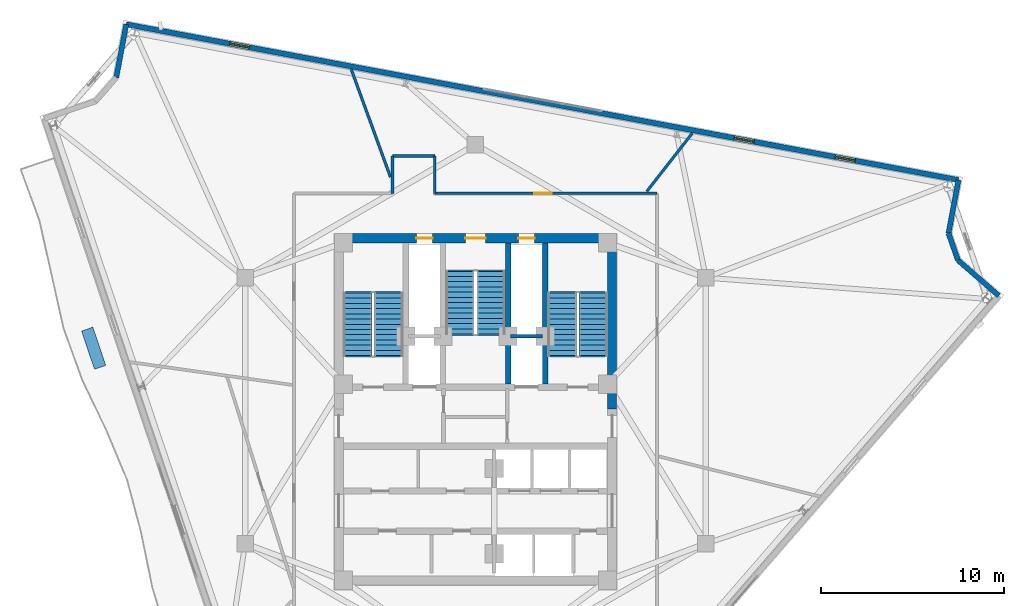
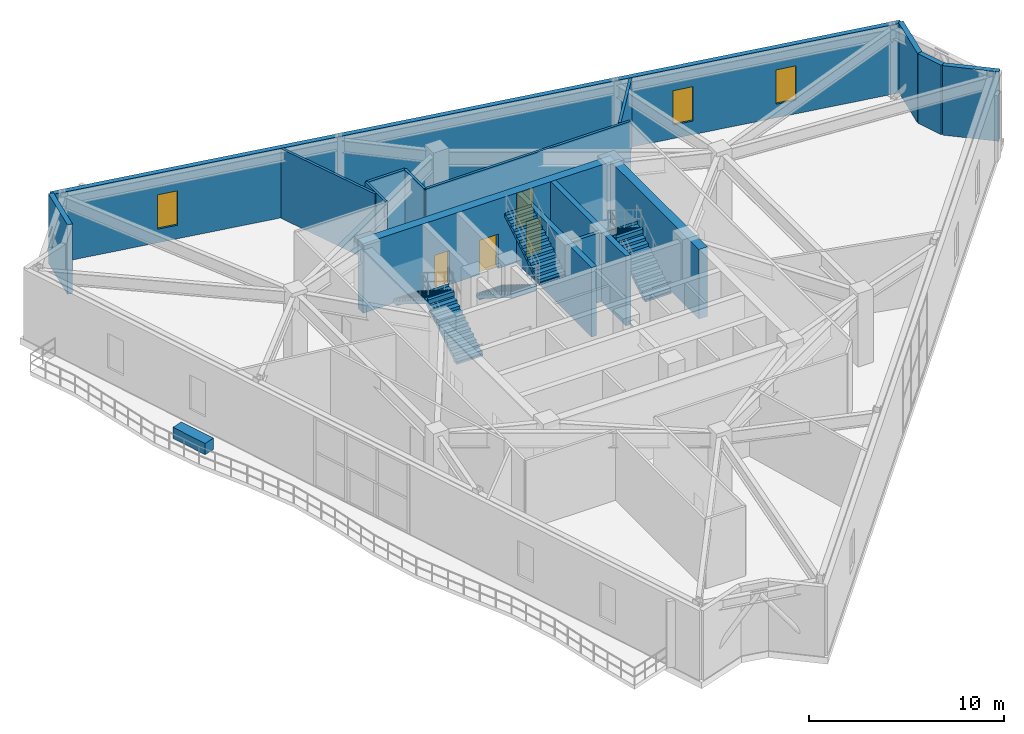
# One storey, part 12 of 15: 16 walls, 6 stair flights, 4 doors, 3 windows, 1 discrete accessory, 7 openings, 3 elements without a shape of their own.
"""IFC4 building model written with IfcOpenShell, lengths in metres."""

import ifcopenshell
import ifcopenshell.guid

model = None  # the IFC model being written
_history = None  # IfcOwnerHistory: only IFC2X3 demands one
_inside = {}  # id of a spatial element -> (the spatial element, [elements in it])
_under = {}  # id of a project, library or spatial element -> (it, [spatial elements below it])
_declared = {}  # id of a project -> (the project, [libraries it declares])
_typed = {}  # id of a type object -> (the type object, [elements of that type])
_made_of = {}  # id of a material, layer set ... -> (it, [elements and type objects made of it])


def new_model(schema):
    """Start an empty IFC model of exactly this schema.

    Asked for "IFC4X3", IfcOpenShell would pick the latest addendum, in which some entities
    have other attributes; the version numbers below select the first issue.
    IFC2X3 requires an IfcOwnerHistory on every rooted entity: one is made here for all.
    """
    global model, _history
    if schema == "IFC4X3":
        model = ifcopenshell.file(schema_version=(4, 3, 0, 0))
    else:
        model = ifcopenshell.file(schema=schema)
    _inside.clear()
    _under.clear()
    _declared.clear()
    _typed.clear()
    _made_of.clear()
    _history = None
    if model.schema == "IFC2X3":
        org = make("IfcOrganization", Name="unknown")
        user = make(
            "IfcPersonAndOrganization",
            ThePerson=make("IfcPerson", FamilyName="unknown"),
            TheOrganization=org,
        )
        app = make(
            "IfcApplication",
            ApplicationDeveloper=org,
            Version="unknown",
            ApplicationFullName="unknown",
            ApplicationIdentifier="unknown",
        )
        _history = make(
            "IfcOwnerHistory",
            OwningUser=user,
            OwningApplication=app,
            ChangeAction="ADDED",
            CreationDate=0,
        )
    return model


def make(cls, **values):
    """One entity of the class cls with the attributes given. An attribute that is None is left unset."""
    return model.create_entity(
        cls, **{name: value for name, value in values.items() if value is not None}
    )


def rooted(cls, **values):
    """An entity with a GlobalId (a new one), such as an element, a storey or a relation."""
    return make(cls, GlobalId=ifcopenshell.guid.new(), OwnerHistory=_history, **values)


def si_unit(unit_type, name, prefix=None):
    """IfcSIUnit, for example si_unit("LENGTHUNIT", "METRE", prefix="MILLI")."""
    return make("IfcSIUnit", UnitType=unit_type, Prefix=prefix, Name=name)


def assignment(units):
    """IfcUnitAssignment: the units of a project."""
    return None if units is None else make("IfcUnitAssignment", Units=units)


def point(xyz):
    """IfcCartesianPoint."""
    return None if xyz is None else make("IfcCartesianPoint", Coordinates=xyz)


def direction(xyz):
    """IfcDirection."""
    return None if xyz is None else make("IfcDirection", DirectionRatios=xyz)


def frame(location, z_axis=None, x_axis=None):
    """IfcAxis2Placement3D, a coordinate frame: its origin and axes. An axis left out is left unset."""
    return make(
        "IfcAxis2Placement3D",
        Location=point(location),
        Axis=direction(z_axis),
        RefDirection=direction(x_axis),
    )


def frame_2d(location, x_axis=None):
    """IfcAxis2Placement2D, a coordinate frame in the plane: its origin and x axis."""
    return make(
        "IfcAxis2Placement2D", Location=point(location), RefDirection=direction(x_axis)
    )


def origin():
    """The frame at (0, 0, 0) with its axes left unset."""
    return frame((0.0, 0.0, 0.0))


def origin_2d():
    """The frame at (0, 0) in the plane with its x axis left unset."""
    return frame_2d((0.0, 0.0))


def place(relative_to, where):
    """IfcLocalPlacement: puts the frame where relative to a parent placement (None: the world)."""
    return make(
        "IfcLocalPlacement", PlacementRelTo=relative_to, RelativePlacement=where
    )


def context(
    kind, dimensions, precision=None, world=None, true_north=None, identifier=None
):
    """IfcGeometricRepresentationContext, for example the 3D "Model" context."""
    return make(
        "IfcGeometricRepresentationContext",
        ContextIdentifier=identifier,
        ContextType=kind,
        CoordinateSpaceDimension=dimensions,
        Precision=precision,
        WorldCoordinateSystem=world,
        TrueNorth=true_north,
    )


def subcontext(parent, identifier, kind, view, scale=None):
    """IfcGeometricRepresentationSubContext, for example "Body" below "Model"."""
    return make(
        "IfcGeometricRepresentationSubContext",
        ContextIdentifier=identifier,
        ContextType=kind,
        ParentContext=parent,
        TargetScale=scale,
        TargetView=view,
    )


def project(units=None, contexts=None):
    """IfcProject with its units and contexts."""
    return rooted(
        "IfcProject",
        Name="project",
        RepresentationContexts=contexts,
        UnitsInContext=assignment(units),
    )


def spatial(cls, under=None, at=None, **own):
    """A site, building, storey or space (cls), placed at a placement, below another one or the project."""
    s = rooted(cls, ObjectPlacement=at, **own)
    if under is not None:
        _under.setdefault(under.id(), (under, []))[1].append(s)
    return s


def polyline(points):
    """IfcPolyline through the points."""
    return make("IfcPolyline", Points=[point(p) for p in points])


def profile(cls, at=None, kind="AREA", **sizes):
    """A parametric profile (cls). Its sizes go by their IFC names, for example OverallWidth=200.0."""
    return make(cls, ProfileType=kind, Position=at, **sizes)


def rectangle(**sizes):
    """IfcRectangleProfileDef."""
    return profile("IfcRectangleProfileDef", **sizes)


def outline(outer, holes=None, kind="AREA"):
    """IfcArbitraryClosedProfileDef: a profile drawn as a closed curve; with holes, ...WithVoids."""
    if holes is None:
        return make("IfcArbitraryClosedProfileDef", ProfileType=kind, OuterCurve=outer)
    return make(
        "IfcArbitraryProfileDefWithVoids",
        ProfileType=kind,
        OuterCurve=outer,
        InnerCurves=holes,
    )


def extrude(swept, where, along, depth):
    """IfcExtrudedAreaSolid: the profile swept, set in the frame where, extruded along a direction by depth."""
    return make(
        "IfcExtrudedAreaSolid",
        SweptArea=swept,
        Position=where,
        ExtrudedDirection=direction(along),
        Depth=depth,
    )


def shape(context_of_items, identifier, shape_type, items):
    """IfcShapeRepresentation: the items that make up one representation, for example the "Body"."""
    return make(
        "IfcShapeRepresentation",
        ContextOfItems=context_of_items,
        RepresentationIdentifier=identifier,
        RepresentationType=shape_type,
        Items=items,
    )


def material(Name=None, Category=None):
    """IfcMaterial."""
    return make("IfcMaterial", Name=Name, Category=Category)


def layer(
    of_material, thickness, ventilated=None, Name=None, Category=None, Priority=None
):
    """IfcMaterialLayer: one layer of a wall or slab, of a material (None: an air gap)."""
    return make(
        "IfcMaterialLayer",
        Material=of_material,
        LayerThickness=thickness,
        IsVentilated=ventilated,
        Name=Name,
        Category=Category,
        Priority=Priority,
    )


def layer_set(layers, Name=None):
    """IfcMaterialLayerSet."""
    return make("IfcMaterialLayerSet", MaterialLayers=layers, LayerSetName=Name)


def made_of(thing, what):
    """Note that an element or type object is made of a material, layer set ...; save() writes the relation."""
    if what is not None:
        _made_of.setdefault(what.id(), (what, []))[1].append(thing)
    return thing


def type_object(cls, material=None, **own):
    """A type object (cls), such as IfcWallType, which elements share."""
    return made_of(rooted(cls, **own), material)


def element(
    cls,
    number,
    at=None,
    inside=None,
    cuts=None,
    type_object=None,
    material=None,
    context=None,
    identifier="Body",
    shape_type=None,
    held_by="IfcProductDefinitionShape",
    body=None,
    shapes=None,
    **own,
):
    """One element of the class cls, such as IfcWall. Its Tag is "e" and its number.

    at: its placement. inside: the storey or other place that contains it. cuts: it is an
    opening in that element (IfcRelVoidsElement). A single representation is given by context,
    identifier, shape_type and body (its items); several are given by shapes. held_by: the class
    of the entity that holds the representations. save() writes the other relations.
    """
    e = rooted(cls, Tag="e%d" % number, ObjectPlacement=at, **own)
    if body is not None:
        shapes = [shape(context, identifier, shape_type, body)]
    if shapes is not None:
        e.Representation = make(held_by, Representations=shapes)
    if inside is not None:
        _inside.setdefault(inside.id(), (inside, []))[1].append(e)
    if cuts is not None:
        rooted(
            "IfcRelVoidsElement", RelatingBuildingElement=cuts, RelatedOpeningElement=e
        )
    if type_object is not None:
        _typed.setdefault(type_object.id(), (type_object, []))[1].append(e)
    return made_of(e, material)


def fill(opening, filler):
    """IfcRelFillsElement: the door or window that sits in an opening."""
    return rooted(
        "IfcRelFillsElement",
        RelatingOpeningElement=opening,
        RelatedBuildingElement=filler,
    )


def aggregate(whole, parts):
    """IfcRelAggregates: a whole, such as a stair, and the parts it consists of."""
    return rooted("IfcRelAggregates", RelatingObject=whole, RelatedObjects=parts)


def save(model, path):
    """Write the relations noted so far, then the file.

    IfcRelAggregates (storeys below a building ...), IfcRelContainedInSpatialStructure (elements
    in a storey), IfcRelDefinesByType, IfcRelAssociatesMaterial and IfcRelDeclares: one each for
    every whole, place, type object, material and project.
    """
    for whole, parts in _under.values():
        aggregate(whole, parts)
    for where, things in _inside.values():
        rooted(
            "IfcRelContainedInSpatialStructure",
            RelatedElements=things,
            RelatingStructure=where,
        )
    for kind, things in _typed.values():
        rooted("IfcRelDefinesByType", RelatedObjects=things, RelatingType=kind)
    for what, things in _made_of.values():
        rooted("IfcRelAssociatesMaterial", RelatedObjects=things, RelatingMaterial=what)
    for by, libraries in _declared.values():
        rooted("IfcRelDeclares", RelatingContext=by, RelatedDefinitions=libraries)
    model.write(path)


model = new_model("IFC4")

# Units and contexts
model_context = context("Model", 3, precision=1e-05, world=origin(), true_north=direction((0.0, 1.0)))
body_context = subcontext(model_context, "Body", "Model", "MODEL_VIEW")
ifc_project = project(units=[si_unit("LENGTHUNIT", "METRE"), si_unit("AREAUNIT", "SQUARE_METRE"), si_unit("VOLUMEUNIT", "CUBIC_METRE"), si_unit("PLANEANGLEUNIT", "RADIAN"), si_unit("MASSUNIT", "GRAM", prefix="KILO")], contexts=[model_context])

# Site, building, storey
site_placement = place(None, origin())
site = spatial("IfcSite", under=ifc_project, at=site_placement, CompositionType="ELEMENT")
building_placement = place(site_placement, origin())
building = spatial("IfcBuilding", under=site, at=building_placement, Name="Apsidion Concourse Tower", CompositionType="ELEMENT")
storey_placement = place(building_placement, frame((0.0, 0.0, 260.89990234375)))
storey = spatial("IfcBuildingStorey", under=building, at=storey_placement, Name="L61", CompositionType="ELEMENT", Elevation=260.89990234375)

# Wall, openings, windows
ifc_material_1 = material(Name="Precast concrete C40/50", Category="concrete")
ifc_layer_1 = layer(ifc_material_1, 0.280029296875)
ifc_layer_set_1 = layer_set([ifc_layer_1], Name="Precast concrete C40/50")
wall_type_1 = type_object("IfcWallType", Name="WL-EXT-280", PredefinedType="STANDARD", material=ifc_layer_set_1)
wall_1_placement = place(storey_placement, frame((-19.04150390625, 21.06640625, 0.0), z_axis=(0.0, 0.0, 1.0), x_axis=(0.982948140881, -0.183882985453, 0.0)))
wall_1 = element("IfcWall", 1, at=wall_1_placement, inside=storey, type_object=wall_type_1, Name="L61 Precast Stone Facade Wall 01", PredefinedType="STANDARD", context=body_context, shape_type="SweptSolid", body=[
    extrude(rectangle(XDim=46.16259765625, YDim=0.280029296875, at=frame_2d((23.081298828125, 0.0))), origin(), (0.0, 0.0, 1.0), 4.35009765625),
])
opening_1_placement = place(wall_1_placement, frame((5.731201171875, 0.0, 0.85009765625)))
opening_1 = element("IfcOpeningElement", 2, at=opening_1_placement, cuts=wall_1, Name="Opening WN-07", PredefinedType="OPENING", context=body_context, shape_type="SweptSolid", body=[
    extrude(rectangle(XDim=1.10009765625, YDim=2.14990234375, at=frame_2d((0.550048828125, 1.074951171875))), frame((0.0, 0.14990234375, 0.0), z_axis=(0.0, -1.0, 0.0), x_axis=(1.0, 0.0, 0.0)), (0.0, 0.0, 1.0), 0.300048828125),
])
opening_2_placement = place(wall_1_placement, frame((33.731201171875, 0.0, 0.85009765625)))
opening_2 = element("IfcOpeningElement", 3, at=opening_2_placement, cuts=wall_1, Name="Opening WN-07", PredefinedType="OPENING", context=body_context, shape_type="SweptSolid", body=[
    extrude(rectangle(XDim=1.10009765625, YDim=2.14990234375, at=frame_2d((0.550048828125, 1.074951171875))), frame((0.0, 0.14990234375, 0.0), z_axis=(0.0, -1.0, 0.0), x_axis=(1.0, 0.0, 0.0)), (0.0, 0.0, 1.0), 0.300048828125),
])
opening_3_placement = place(wall_1_placement, frame((39.331298828125, 0.0, 0.85009765625)))
opening_3 = element("IfcOpeningElement", 4, at=opening_3_placement, cuts=wall_1, Name="Opening WN-07", PredefinedType="OPENING", context=body_context, shape_type="SweptSolid", body=[
    extrude(rectangle(XDim=1.10009765625, YDim=2.14990234375, at=frame_2d((0.550048828125, 1.074951171875))), frame((0.0, 0.14990234375, 0.0), z_axis=(0.0, -1.0, 0.0), x_axis=(1.0, 0.0, 0.0)), (0.0, 0.0, 1.0), 0.300048828125),
])
ifc_material_2 = material(Name="Insulated laminated low-E glass", Category="glass")
window_type = type_object("IfcWindowType", Name="WN-OFF-1123", PartitioningType="SINGLE_PANEL", PredefinedType="WINDOW", material=ifc_material_2)
window_1_placement = place(opening_1_placement, origin())
window_1 = element("IfcWindow", 5, at=window_1_placement, inside=storey, type_object=window_type, Name="L61 Punched Facade Window 1-01", OverallHeight=2.14990234375, OverallWidth=1.10009765625, PartitioningType="SINGLE_PANEL", PredefinedType="WINDOW", context=body_context, shape_type="SweptSolid", body=[
    extrude(rectangle(XDim=1.10009765625, YDim=2.14990234375, at=frame_2d((0.550048828125, 1.074951171875))), frame((0.0, 0.030029296875, 0.0), z_axis=(0.0, -1.0, 0.0), x_axis=(1.0, 0.0, 0.0)), (0.0, 0.0, 1.0), 0.06005859375),
])
fill(opening_1, window_1)
window_2_placement = place(opening_2_placement, origin())
window_2 = element("IfcWindow", 6, at=window_2_placement, inside=storey, type_object=window_type, Name="L61 Punched Facade Window 1-06", OverallHeight=2.14990234375, OverallWidth=1.10009765625, PartitioningType="SINGLE_PANEL", PredefinedType="WINDOW", context=body_context, shape_type="SweptSolid", body=[
    extrude(rectangle(XDim=1.10009765625, YDim=2.14990234375, at=frame_2d((0.550048828125, 1.074951171875))), frame((0.0, 0.030029296875, 0.0), z_axis=(0.0, -1.0, 0.0), x_axis=(1.0, 0.0, 0.0)), (0.0, 0.0, 1.0), 0.06005859375),
])
fill(opening_2, window_2)
window_3_placement = place(opening_3_placement, origin())
window_3 = element("IfcWindow", 7, at=window_3_placement, inside=storey, type_object=window_type, Name="L61 Punched Facade Window 1-07", OverallHeight=2.14990234375, OverallWidth=1.10009765625, PartitioningType="SINGLE_PANEL", PredefinedType="WINDOW", context=body_context, shape_type="SweptSolid", body=[
    extrude(rectangle(XDim=1.10009765625, YDim=2.14990234375, at=frame_2d((0.550048828125, 1.074951171875))), frame((0.0, 0.030029296875, 0.0), z_axis=(0.0, -1.0, 0.0), x_axis=(1.0, 0.0, 0.0)), (0.0, 0.0, 1.0), 0.06005859375),
])
fill(opening_3, window_3)

# Walls
wall_2_placement = place(storey_placement, frame((26.333984375, 12.577880859375, 0.0), z_axis=(0.0, 0.0, 1.0), x_axis=(-0.183929325972, -0.982939470694, 0.0)))
element("IfcWall", 8, at=wall_2_placement, inside=storey, type_object=wall_type_1, Name="L61 Precast Stone Facade Wall 02", PredefinedType="STANDARD", context=body_context, shape_type="SweptSolid", body=[
    extrude(rectangle(XDim=2.95458984375, YDim=0.280029296875, at=frame_2d((1.477294921875, 0.0))), origin(), (0.0, 0.0, 1.0), 4.35009765625),
])
wall_3_placement = place(storey_placement, frame((25.79052734375, 9.673583984375, 0.0), z_axis=(0.0, 0.0, 1.0), x_axis=(0.328922695325, -0.944356850189, 0.0)))
element("IfcWall", 9, at=wall_3_placement, inside=storey, type_object=wall_type_1, Name="L61 Precast Stone Facade Wall 03", PredefinedType="STANDARD", context=body_context, shape_type="SweptSolid", body=[
    extrude(rectangle(XDim=1.55419921875, YDim=0.280029296875, at=frame_2d((0.777099609375, 0.0))), origin(), (0.0, 0.0, 1.0), 4.35009765625),
])
wall_4_placement = place(storey_placement, frame((26.3017578125, 8.205810546875, 0.0), z_axis=(0.0, 0.0, 1.0), x_axis=(0.754717590568, -0.656049814028, 0.0)))
element("IfcWall", 10, at=wall_4_placement, inside=storey, type_object=wall_type_1, Name="L61 Precast Stone Facade Wall 04", PredefinedType="STANDARD", context=body_context, shape_type="SweptSolid", body=[
    extrude(rectangle(XDim=2.954345703125, YDim=0.280029296875, at=frame_2d((1.47705078125, 0.0))), origin(), (0.0, 0.0, 1.0), 4.35009765625),
])
wall_5_placement = place(storey_placement, frame((-19.5849609375, 18.1611328125, 0.0), z_axis=(0.0, 0.0, 1.0), x_axis=(0.183869591509, 0.982950646431, 0.0)))
element("IfcWall", 11, at=wall_5_placement, inside=storey, type_object=wall_type_1, Name="L61 Precast Stone Facade Wall 12", PredefinedType="STANDARD", context=body_context, shape_type="SweptSolid", body=[
    extrude(rectangle(XDim=2.95556640625, YDim=0.280029296875, at=frame_2d((1.477783203125, 0.0))), origin(), (0.0, 0.0, 1.0), 4.35009765625),
])
ifc_material_3 = material(Name="Gypsum plasterboard partition")
ifc_layer_2 = layer(ifc_material_3, 0.14990234375)
ifc_layer_set_2 = layer_set([ifc_layer_2], Name="Gypsum plasterboard partition")
wall_type_2 = type_object("IfcWallType", Name="WL-INT-PAR-150", PredefinedType="PARTITIONING", material=ifc_layer_set_2)
wall_6_placement = place(storey_placement, frame((-4.530029296875, 11.85009765625, 0.0), z_axis=(0.0, 0.0, 1.0), x_axis=(0.0, 1.0, 0.0)))
element("IfcWall", 12, at=wall_6_placement, inside=storey, type_object=wall_type_2, Name="L61 Interior Partition WL-L61-CORR-04", PredefinedType="PARTITIONING", context=body_context, shape_type="SweptSolid", body=[
    extrude(rectangle(XDim=2.02978515625, YDim=0.14990234375, at=frame_2d((1.014892578125, 0.0))), origin(), (0.0, 0.0, 1.0), 4.35009765625),
])
wall_7_placement = place(storey_placement, frame((-4.530029296875, 13.8798828125, 0.0), z_axis=(0.0, 0.0, 1.0), x_axis=(1.0, 0.0, 0.0)))
element("IfcWall", 13, at=wall_7_placement, inside=storey, type_object=wall_type_2, Name="L61 Interior Partition WL-L61-CORR-05", PredefinedType="PARTITIONING", context=body_context, shape_type="SweptSolid", body=[
    extrude(rectangle(XDim=2.31005859375, YDim=0.14990234375, at=frame_2d((1.155029296875, 0.0))), origin(), (0.0, 0.0, 1.0), 4.35009765625),
])
wall_8_placement = place(storey_placement, frame((-2.219970703125, 13.8798828125, 0.0), z_axis=(0.0, 0.0, 1.0), x_axis=(0.0, -1.0, 0.0)))
element("IfcWall", 14, at=wall_8_placement, inside=storey, type_object=wall_type_2, Name="L61 Interior Partition WL-L61-CORR-06", PredefinedType="PARTITIONING", context=body_context, shape_type="SweptSolid", body=[
    extrude(rectangle(XDim=2.02978515625, YDim=0.14990234375, at=frame_2d((1.014892578125, 0.0))), origin(), (0.0, 0.0, 1.0), 4.35009765625),
])

# Wall, opening, door
wall_9_placement = place(storey_placement, frame((-2.219970703125, 11.85009765625, 0.0), z_axis=(0.0, 0.0, 1.0), x_axis=(1.0, 0.0, 0.0)))
wall_9 = element("IfcWall", 15, at=wall_9_placement, inside=storey, type_object=wall_type_2, Name="L61 Interior Partition WL-L61-CORR-07", PredefinedType="PARTITIONING", context=body_context, shape_type="SweptSolid", body=[
    extrude(rectangle(XDim=12.119873046875, YDim=0.14990234375, at=frame_2d((6.06005859375, 0.0))), origin(), (0.0, 0.0, 1.0), 4.35009765625),
])
opening_4_placement = place(wall_9_placement, frame((5.432373046875, 0.0, 0.0)))
opening_4 = element("IfcOpeningElement", 16, at=opening_4_placement, cuts=wall_9, Name="Opening D-01L", PredefinedType="OPENING", context=body_context, shape_type="SweptSolid", body=[
    extrude(rectangle(XDim=0.949951171875, YDim=2.14990234375, at=frame_2d((0.47509765625, 1.074951171875))), frame((0.0, 0.0849609375, 0.0), z_axis=(0.0, -1.0, 0.0), x_axis=(1.0, 0.0, 0.0)), (0.0, 0.0, 1.0), 0.169921875),
])
ifc_material_4 = material(Name="Brushed stainless steel 316", Category="steel")
door_type_1 = type_object("IfcDoorType", Name="DR-INT-D01L", OperationType="SINGLE_SWING_LEFT", PredefinedType="DOOR", material=ifc_material_4)
door_1_placement = place(opening_4_placement, origin())
door_1 = element("IfcDoor", 17, at=door_1_placement, inside=storey, type_object=door_type_1, Name="L61 Corridor Entry Door 05", OperationType="SINGLE_SWING_LEFT", OverallHeight=2.14990234375, OverallWidth=0.949951171875, PredefinedType="DOOR", context=body_context, shape_type="SweptSolid", body=[
    extrude(rectangle(XDim=0.949951171875, YDim=2.14990234375, at=frame_2d((0.47509765625, 1.074951171875))), frame((0.0, 0.02490234375, 0.0), z_axis=(0.0, -1.0, 0.0), x_axis=(1.0, 0.0, 0.0)), (0.0, 0.0, 1.0), 0.050048828125),
])
fill(opening_4, door_1)

# Walls
wall_10_placement = place(storey_placement, frame((9.34033203125, 11.955078125, 0.0), z_axis=(0.0, 0.0, 1.0), x_axis=(0.615673396763, 0.788001439414, 0.0)))
element("IfcWall", 18, at=wall_10_placement, inside=storey, type_object=wall_type_2, Name="L61 Interior Partition WL-L61-RAD-01-1", PredefinedType="PARTITIONING", context=body_context, shape_type="SweptSolid", body=[
    extrude(rectangle(XDim=4.034912109375, YDim=0.14990234375, at=frame_2d((2.017578125, 0.0))), origin(), (0.0, 0.0, 1.0), 4.35009765625),
])
wall_11_placement = place(storey_placement, frame((-4.635009765625, 12.734619140625, 0.0), z_axis=(0.0, 0.0, 1.0), x_axis=(-0.34201562332, 0.939694265921, 0.0)))
element("IfcWall", 19, at=wall_11_placement, inside=storey, type_object=wall_type_2, Name="L61 Interior Partition WL-L61-RAD-02-1", PredefinedType="PARTITIONING", context=body_context, shape_type="SweptSolid", body=[
    extrude(rectangle(XDim=6.256591796875, YDim=0.14990234375, at=frame_2d((3.12841796875, 0.0))), origin(), (0.0, 0.0, 1.0), 4.35009765625),
])
ifc_layer_3 = layer(ifc_material_3, 0.199951171875)
ifc_layer_set_3 = layer_set([ifc_layer_3], Name="Gypsum plasterboard partition")
wall_type_3 = type_object("IfcWallType", Name="WL-INT-PAR-200", PredefinedType="PARTITIONING", material=ifc_layer_set_3)
wall_12_placement = place(storey_placement, frame((1.919921875, 4.050048828125, 0.0), z_axis=(0.0, 0.0, 1.0), x_axis=(1.0, 0.0, 0.0)))
element("IfcWall", 20, at=wall_12_placement, inside=storey, type_object=wall_type_3, Name="L61 Interior Partition WL-L61-FF2-N", PredefinedType="PARTITIONING", context=body_context, shape_type="SweptSolid", body=[
    extrude(rectangle(XDim=1.72998046875, YDim=0.199951171875, at=frame_2d((0.864990234375, 0.0))), origin(), (0.0, 0.0, 1.0), 4.35009765625),
])
ifc_material_5 = material(Name="Concrete C50/60", Category="concrete")
ifc_layer_4 = layer(ifc_material_5, 0.300048828125)
ifc_layer_set_4 = layer_set([ifc_layer_4], Name="Concrete C50/60")
wall_type_4 = type_object("IfcWallType", Name="WL-SH-300", PredefinedType="SHEAR", material=ifc_layer_set_4)
for number, where, z_axis, x_axis, name in (
    (21, (1.77490234375, 1.449951171875, 0.0), (0.0, 0.0, 1.0), (0.0, 1.0, 0.0), "L61 Central Core Shear Wall V3"),
    (22, (3.800048828125, 1.449951171875, 0.0), (0.0, 0.0, 1.0), (0.0, 1.0, 0.0), "L61 Central Core Shear Wall V4"),
):
    element("IfcWall", number, at=place(storey_placement, frame(where, z_axis=z_axis, x_axis=x_axis)), inside=storey, type_object=wall_type_4, Name=name, PredefinedType="SHEAR", context=body_context, shape_type="SweptSolid", body=[
        extrude(rectangle(XDim=7.699951171875, YDim=0.300048828125, at=frame_2d((3.85009765625, 0.0))), origin(), (0.0, 0.0, 1.0), 4.35009765625),
    ])

# Wall, openings, doors
ifc_layer_5 = layer(ifc_material_5, 0.5)
ifc_layer_set_5 = layer_set([ifc_layer_5], Name="Concrete C50/60")
wall_type_5 = type_object("IfcWallType", Name="WL-SH-500", PredefinedType="SHEAR", material=ifc_layer_set_5)
wall_13_placement = place(storey_placement, frame((-7.449951171875, 9.39990234375, 0.0), z_axis=(0.0, 0.0, 1.0), x_axis=(1.0, 0.0, 0.0)))
wall_13 = element("IfcWall", 23, at=wall_13_placement, inside=storey, type_object=wall_type_5, Name="L61 Central Core Shear Wall N", PredefinedType="SHEAR", context=body_context, shape_type="SweptSolid", body=[
    extrude(rectangle(XDim=14.89990234375, YDim=0.5, at=frame_2d((7.449951171875, 0.0))), origin(), (0.0, 0.0, 1.0), 4.35009765625),
])
opening_5_placement = place(wall_13_placement, frame((6.89990234375, 0.0, 0.0)))
opening_5 = element("IfcOpeningElement", 24, at=opening_5_placement, cuts=wall_13, Name="Opening D-STL", PredefinedType="OPENING", context=body_context, shape_type="SweptSolid", body=[
    extrude(rectangle(XDim=1.10009765625, YDim=2.14990234375, at=frame_2d((0.550048828125, 1.074951171875))), frame((0.0, 0.260009765625, 0.0), z_axis=(0.0, -1.0, 0.0), x_axis=(1.0, 0.0, 0.0)), (0.0, 0.0, 1.0), 0.52001953125),
])
opening_6_placement = place(wall_13_placement, frame((4.22998046875, 0.0, 0.0)))
opening_6 = element("IfcOpeningElement", 25, at=opening_6_placement, cuts=wall_13, Name="Opening D-05L", PredefinedType="OPENING", context=body_context, shape_type="SweptSolid", body=[
    extrude(rectangle(XDim=0.8798828125, YDim=2.14990234375, at=frame_2d((0.43994140625, 1.074951171875))), frame((0.0, 0.260009765625, 0.0), z_axis=(0.0, -1.0, 0.0), x_axis=(1.0, 0.0, 0.0)), (0.0, 0.0, 1.0), 0.52001953125),
])
opening_7_placement = place(wall_13_placement, frame((9.7900390625, 0.0, 0.0)))
opening_7 = element("IfcOpeningElement", 26, at=opening_7_placement, cuts=wall_13, Name="Opening D-05R", PredefinedType="OPENING", context=body_context, shape_type="SweptSolid", body=[
    extrude(rectangle(XDim=0.8798828125, YDim=2.14990234375, at=frame_2d((0.43994140625, 1.074951171875))), frame((0.0, 0.260009765625, 0.0), z_axis=(0.0, -1.0, 0.0), x_axis=(1.0, 0.0, 0.0)), (0.0, 0.0, 1.0), 0.52001953125),
])
door_type_2 = type_object("IfcDoorType", Name="DR-INT-D05L", OperationType="SINGLE_SWING_LEFT", PredefinedType="DOOR", material=ifc_material_4)
door_2_placement = place(opening_6_placement, origin())
door_2 = element("IfcDoor", 27, at=door_2_placement, inside=storey, type_object=door_type_2, Name="L61 Electrical Riser Shaft Access Door", OperationType="SINGLE_SWING_LEFT", OverallHeight=2.14990234375, OverallWidth=0.8798828125, PredefinedType="DOOR", context=body_context, shape_type="SweptSolid", body=[
    extrude(rectangle(XDim=0.8798828125, YDim=2.14990234375, at=frame_2d((0.43994140625, 1.074951171875))), frame((0.0, 0.02490234375, 0.0), z_axis=(0.0, -1.0, 0.0), x_axis=(1.0, 0.0, 0.0)), (0.0, 0.0, 1.0), 0.050048828125),
])
fill(opening_6, door_2)
door_type_3 = type_object("IfcDoorType", Name="DR-INT-D05R", OperationType="SINGLE_SWING_RIGHT", PredefinedType="DOOR", material=ifc_material_4)
door_3_placement = place(opening_7_placement, origin())
door_3 = element("IfcDoor", 28, at=door_3_placement, inside=storey, type_object=door_type_3, Name="L61 Mechanical Riser Shaft Access Door", OperationType="SINGLE_SWING_RIGHT", OverallHeight=2.14990234375, OverallWidth=0.8798828125, PredefinedType="DOOR", context=body_context, shape_type="SweptSolid", body=[
    extrude(rectangle(XDim=0.8798828125, YDim=2.14990234375, at=frame_2d((0.43994140625, 1.074951171875))), frame((0.0, 0.02490234375, 0.0), z_axis=(0.0, -1.0, 0.0), x_axis=(1.0, 0.0, 0.0)), (0.0, 0.0, 1.0), 0.050048828125),
])
fill(opening_7, door_3)
door_type_4 = type_object("IfcDoorType", Name="DR-INT-ST1L", OperationType="SINGLE_SWING_LEFT", PredefinedType="DOOR", material=ifc_material_4)
door_4_placement = place(opening_5_placement, origin())
door_4 = element("IfcDoor", 29, at=door_4_placement, inside=storey, type_object=door_type_4, Name="L61 Core Exit Stair ST3 Door", OperationType="SINGLE_SWING_LEFT", OverallHeight=2.14990234375, OverallWidth=1.10009765625, PredefinedType="DOOR", context=body_context, shape_type="SweptSolid", body=[
    extrude(rectangle(XDim=1.10009765625, YDim=2.14990234375, at=frame_2d((0.550048828125, 1.074951171875))), frame((0.0, 0.02490234375, 0.0), z_axis=(0.0, -1.0, 0.0), x_axis=(1.0, 0.0, 0.0)), (0.0, 0.0, 1.0), 0.050048828125),
])
fill(opening_5, door_4)

# Wall
wall_14_placement = place(storey_placement, frame((7.449951171875, 0.10009765625, 0.0), z_axis=(0.0, 0.0, 1.0), x_axis=(0.0, 1.0, 0.0)))
element("IfcWall", 30, at=wall_14_placement, inside=storey, type_object=wall_type_5, Name="L61 Central Core Shear Wall EN", PredefinedType="SHEAR", context=body_context, shape_type="SweptSolid", body=[
    extrude(rectangle(XDim=9.0498046875, YDim=0.5, at=frame_2d((4.52490234375, 0.0))), origin(), (0.0, 0.0, 1.0), 4.35009765625),
])

# Stair, stair flights
stair_type = type_object("IfcStairType", Name="ST-DL-1550", PredefinedType="HALF_TURN_STAIR", material=ifc_material_1)
stair_1_placement = place(storey_placement, origin())
stair_1 = element("IfcStair", 31, at=stair_1_placement, inside=storey, type_object=stair_type, Name="L61 Protected Core Exit Stair ST1", PredefinedType="HALF_TURN_STAIR")
stair_flight_type = type_object("IfcStairFlightType", Name="SFL-RC-1550", PredefinedType="STRAIGHT", material=ifc_material_1)
stair_flight_1_placement = place(storey_placement, frame((-4.72509765625, 3.0, 0.0), z_axis=(0.0, 0.0, 1.0), x_axis=(0.0, 1.0, 0.0)))
stair_flight_1 = element("IfcStairFlight", 32, at=stair_flight_1_placement, type_object=stair_flight_type, Name="ST1 flight 1", NumberOfRisers=13, NumberOfTreads=12, PredefinedType="STRAIGHT", RiserHeight=0.176923077, TreadLength=0.285, context=body_context, shape_type="SweptSolid", body=[
    extrude(outline(polyline([(-0.080078125, -0.1123046875), (-0.080078125, 0.0), (0.0, 0.0), (0.0, 0.177001953125), (0.284912109375, 0.177001953125), (0.284912109375, 0.353759765625), (0.570068359375, 0.353759765625), (0.570068359375, 0.53076171875), (0.85498046875, 0.53076171875), (0.85498046875, 0.707763671875), (1.139892578125, 0.707763671875), (1.139892578125, 0.884521484375), (1.425048828125, 0.884521484375), (1.425048828125, 1.0615234375), (1.7099609375, 1.0615234375), (1.7099609375, 1.238525390625), (1.9951171875, 1.238525390625), (1.9951171875, 1.415283203125), (2.280029296875, 1.415283203125), (2.280029296875, 1.59228515625), (2.56494140625, 1.59228515625), (2.56494140625, 1.769287109375), (2.85009765625, 1.769287109375), (2.85009765625, 1.946044921875), (3.135009765625, 1.946044921875), (3.135009765625, 2.123046875), (3.419921875, 2.123046875), (3.419921875, 2.300048828125), (3.5, 2.21142578125), (3.5, 1.946533203125), (3.419921875, 1.946533203125), (0.2841796875, 0.0), (0.2841796875, -0.1123046875), (-0.080078125, -0.1123046875)])), frame((0.0, 0.77490234375, 0.0), z_axis=(0.0, -1.0, 0.0), x_axis=(1.0, 0.0, 0.0)), (0.0, 0.0, 1.0), 1.550048828125),
])
stair_flight_2_placement = place(storey_placement, frame((-6.425048828125, 6.419921875, 2.300048828125), z_axis=(0.0, 0.0, 1.0), x_axis=(0.0, -1.0, 0.0)))
stair_flight_2 = element("IfcStairFlight", 33, at=stair_flight_2_placement, type_object=stair_flight_type, Name="ST1 flight 2", NumberOfRisers=13, NumberOfTreads=12, PredefinedType="STRAIGHT", RiserHeight=0.176923077, TreadLength=0.285, context=body_context, shape_type="SweptSolid", body=[
    extrude(outline(polyline([(-0.080078125, -0.1123046875), (-0.080078125, 0.0), (0.0, 0.0), (0.0, 0.177001953125), (0.284912109375, 0.177001953125), (0.284912109375, 0.353759765625), (0.570068359375, 0.353759765625), (0.570068359375, 0.53076171875), (0.85498046875, 0.53076171875), (0.85498046875, 0.707763671875), (1.139892578125, 0.707763671875), (1.139892578125, 0.884521484375), (1.425048828125, 0.884521484375), (1.425048828125, 1.0615234375), (1.7099609375, 1.0615234375), (1.7099609375, 1.238525390625), (1.9951171875, 1.238525390625), (1.9951171875, 1.415283203125), (2.280029296875, 1.415283203125), (2.280029296875, 1.59228515625), (2.56494140625, 1.59228515625), (2.56494140625, 1.769287109375), (2.85009765625, 1.769287109375), (2.85009765625, 1.946044921875), (3.135009765625, 1.946044921875), (3.135009765625, 2.123046875), (3.419921875, 2.123046875), (3.419921875, 2.300048828125), (3.5, 2.21142578125), (3.5, 1.946533203125), (3.419921875, 1.946533203125), (0.2841796875, 0.0), (0.2841796875, -0.1123046875), (-0.080078125, -0.1123046875)])), frame((0.0, 0.77490234375, 0.0), z_axis=(0.0, -1.0, 0.0), x_axis=(1.0, 0.0, 0.0)), (0.0, 0.0, 1.0), 1.550048828125),
])
aggregate(stair_1, [stair_flight_1, stair_flight_2])

stair_2_placement = place(storey_placement, origin())
stair_2 = element("IfcStair", 34, at=stair_2_placement, inside=storey, type_object=stair_type, Name="L61 Protected Core Exit Stair ST2", PredefinedType="HALF_TURN_STAIR")
stair_flight_3_placement = place(storey_placement, frame((6.425048828125, 3.0, 0.0), z_axis=(0.0, 0.0, 1.0), x_axis=(0.0, 1.0, 0.0)))
stair_flight_3 = element("IfcStairFlight", 35, at=stair_flight_3_placement, type_object=stair_flight_type, Name="ST2 flight 1", NumberOfRisers=13, NumberOfTreads=12, PredefinedType="STRAIGHT", RiserHeight=0.176923077, TreadLength=0.285, context=body_context, shape_type="SweptSolid", body=[
    extrude(outline(polyline([(-0.080078125, -0.1123046875), (-0.080078125, 0.0), (0.0, 0.0), (0.0, 0.177001953125), (0.284912109375, 0.177001953125), (0.284912109375, 0.353759765625), (0.570068359375, 0.353759765625), (0.570068359375, 0.53076171875), (0.85498046875, 0.53076171875), (0.85498046875, 0.707763671875), (1.139892578125, 0.707763671875), (1.139892578125, 0.884521484375), (1.425048828125, 0.884521484375), (1.425048828125, 1.0615234375), (1.7099609375, 1.0615234375), (1.7099609375, 1.238525390625), (1.9951171875, 1.238525390625), (1.9951171875, 1.415283203125), (2.280029296875, 1.415283203125), (2.280029296875, 1.59228515625), (2.56494140625, 1.59228515625), (2.56494140625, 1.769287109375), (2.85009765625, 1.769287109375), (2.85009765625, 1.946044921875), (3.135009765625, 1.946044921875), (3.135009765625, 2.123046875), (3.419921875, 2.123046875), (3.419921875, 2.300048828125), (3.5, 2.21142578125), (3.5, 1.946533203125), (3.419921875, 1.946533203125), (0.2841796875, 0.0), (0.2841796875, -0.1123046875), (-0.080078125, -0.1123046875)])), frame((0.0, 0.77490234375, 0.0), z_axis=(0.0, -1.0, 0.0), x_axis=(1.0, 0.0, 0.0)), (0.0, 0.0, 1.0), 1.550048828125),
])
stair_flight_4_placement = place(storey_placement, frame((4.72509765625, 6.419921875, 2.300048828125), z_axis=(0.0, 0.0, 1.0), x_axis=(0.0, -1.0, 0.0)))
stair_flight_4 = element("IfcStairFlight", 36, at=stair_flight_4_placement, type_object=stair_flight_type, Name="ST2 flight 2", NumberOfRisers=13, NumberOfTreads=12, PredefinedType="STRAIGHT", RiserHeight=0.176923077, TreadLength=0.285, context=body_context, shape_type="SweptSolid", body=[
    extrude(outline(polyline([(-0.080078125, -0.1123046875), (-0.080078125, 0.0), (0.0, 0.0), (0.0, 0.177001953125), (0.284912109375, 0.177001953125), (0.284912109375, 0.353759765625), (0.570068359375, 0.353759765625), (0.570068359375, 0.53076171875), (0.85498046875, 0.53076171875), (0.85498046875, 0.707763671875), (1.139892578125, 0.707763671875), (1.139892578125, 0.884521484375), (1.425048828125, 0.884521484375), (1.425048828125, 1.0615234375), (1.7099609375, 1.0615234375), (1.7099609375, 1.238525390625), (1.9951171875, 1.238525390625), (1.9951171875, 1.415283203125), (2.280029296875, 1.415283203125), (2.280029296875, 1.59228515625), (2.56494140625, 1.59228515625), (2.56494140625, 1.769287109375), (2.85009765625, 1.769287109375), (2.85009765625, 1.946044921875), (3.135009765625, 1.946044921875), (3.135009765625, 2.123046875), (3.419921875, 2.123046875), (3.419921875, 2.300048828125), (3.5, 2.21142578125), (3.5, 1.946533203125), (3.419921875, 1.946533203125), (0.2841796875, 0.0), (0.2841796875, -0.1123046875), (-0.080078125, -0.1123046875)])), frame((0.0, 0.77490234375, 0.0), z_axis=(0.0, -1.0, 0.0), x_axis=(1.0, 0.0, 0.0)), (0.0, 0.0, 1.0), 1.550048828125),
])
aggregate(stair_2, [stair_flight_3, stair_flight_4])

stair_3_placement = place(storey_placement, origin())
stair_3 = element("IfcStair", 37, at=stair_3_placement, inside=storey, type_object=stair_type, Name="L61 Protected Core Exit Stair ST3", PredefinedType="HALF_TURN_STAIR")
stair_flight_5_placement = place(storey_placement, frame((-0.85009765625, 7.60009765625, 0.0), z_axis=(0.0, 0.0, 1.0), x_axis=(0.0, -1.0, 0.0)))
stair_flight_5 = element("IfcStairFlight", 38, at=stair_flight_5_placement, type_object=stair_flight_type, Name="ST3 flight 1", NumberOfRisers=13, NumberOfTreads=12, PredefinedType="STRAIGHT", RiserHeight=0.176923077, TreadLength=0.285, context=body_context, shape_type="SweptSolid", body=[
    extrude(outline(polyline([(-0.080078125, -0.1123046875), (-0.080078125, 0.0), (0.0, 0.0), (0.0, 0.177001953125), (0.284912109375, 0.177001953125), (0.284912109375, 0.353759765625), (0.570068359375, 0.353759765625), (0.570068359375, 0.53076171875), (0.85498046875, 0.53076171875), (0.85498046875, 0.707763671875), (1.139892578125, 0.707763671875), (1.139892578125, 0.884521484375), (1.425048828125, 0.884521484375), (1.425048828125, 1.0615234375), (1.7099609375, 1.0615234375), (1.7099609375, 1.238525390625), (1.9951171875, 1.238525390625), (1.9951171875, 1.415283203125), (2.280029296875, 1.415283203125), (2.280029296875, 1.59228515625), (2.56494140625, 1.59228515625), (2.56494140625, 1.769287109375), (2.85009765625, 1.769287109375), (2.85009765625, 1.946044921875), (3.135009765625, 1.946044921875), (3.135009765625, 2.123046875), (3.419921875, 2.123046875), (3.419921875, 2.300048828125), (3.5, 2.21142578125), (3.5, 1.946533203125), (3.419921875, 1.946533203125), (0.2841796875, 0.0), (0.2841796875, -0.1123046875), (-0.080078125, -0.1123046875)])), frame((0.0, 0.77490234375, 0.0), z_axis=(0.0, -1.0, 0.0), x_axis=(1.0, 0.0, 0.0)), (0.0, 0.0, 1.0), 1.550048828125),
])
stair_flight_6_placement = place(storey_placement, frame((0.85009765625, 4.179931640625, 2.300048828125), z_axis=(0.0, 0.0, 1.0), x_axis=(0.0, 1.0, 0.0)))
stair_flight_6 = element("IfcStairFlight", 39, at=stair_flight_6_placement, type_object=stair_flight_type, Name="ST3 flight 2", NumberOfRisers=13, NumberOfTreads=12, PredefinedType="STRAIGHT", RiserHeight=0.176923077, TreadLength=0.285, context=body_context, shape_type="SweptSolid", body=[
    extrude(outline(polyline([(-0.080078125, -0.1123046875), (-0.080078125, 0.0), (0.0, 0.0), (0.0, 0.177001953125), (0.284912109375, 0.177001953125), (0.284912109375, 0.353759765625), (0.570068359375, 0.353759765625), (0.570068359375, 0.53076171875), (0.85498046875, 0.53076171875), (0.85498046875, 0.707763671875), (1.139892578125, 0.707763671875), (1.139892578125, 0.884521484375), (1.425048828125, 0.884521484375), (1.425048828125, 1.0615234375), (1.7099609375, 1.0615234375), (1.7099609375, 1.238525390625), (1.9951171875, 1.238525390625), (1.9951171875, 1.415283203125), (2.280029296875, 1.415283203125), (2.280029296875, 1.59228515625), (2.56494140625, 1.59228515625), (2.56494140625, 1.769287109375), (2.85009765625, 1.769287109375), (2.85009765625, 1.946044921875), (3.135009765625, 1.946044921875), (3.135009765625, 2.123046875), (3.419921875, 2.123046875), (3.419921875, 2.300048828125), (3.5, 2.21142578125), (3.5, 1.946533203125), (3.419921875, 1.946533203125), (0.2841796875, 0.0), (0.2841796875, -0.1123046875), (-0.080078125, -0.1123046875)])), frame((0.0, 0.77490234375, 0.0), z_axis=(0.0, -1.0, 0.0), x_axis=(1.0, 0.0, 0.0)), (0.0, 0.0, 1.0), 1.550048828125),
])
aggregate(stair_3, [stair_flight_5, stair_flight_6])

# Discrete accessory
discrete_accessory_type = type_object("IfcDiscreteAccessoryType", Name="ACC-PLANTER-90", PredefinedType="USERDEFINED", material=ifc_material_1)
discrete_accessory_placement = place(storey_placement, frame((-20.8173828125, 3.405517578125, 0.0), z_axis=(0.0, 0.0, 1.0), x_axis=(0.318959309298, -0.94776841001, 0.0)))
element("IfcDiscreteAccessory", 40, at=discrete_accessory_placement, inside=storey, type_object=discrete_accessory_type, Name="L61 Spiral Sky-Terrace Planter 1", ObjectType="PLANTER", PredefinedType="USERDEFINED", context=body_context, shape_type="SweptSolid", body=[
    extrude(rectangle(XDim=2.199951171875, YDim=0.64990234375, at=origin_2d()), origin(), (0.0, 0.0, 1.0), 0.699951171875),
])

save(model, "model.ifc")
